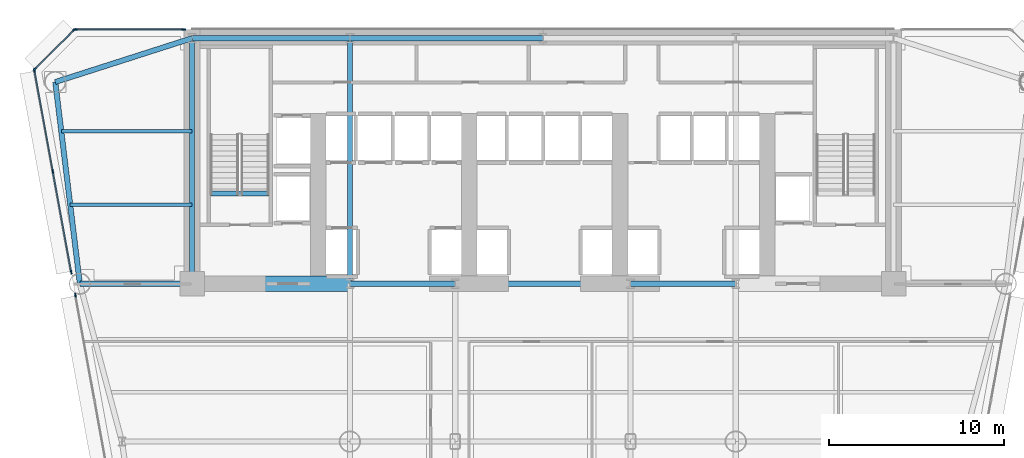
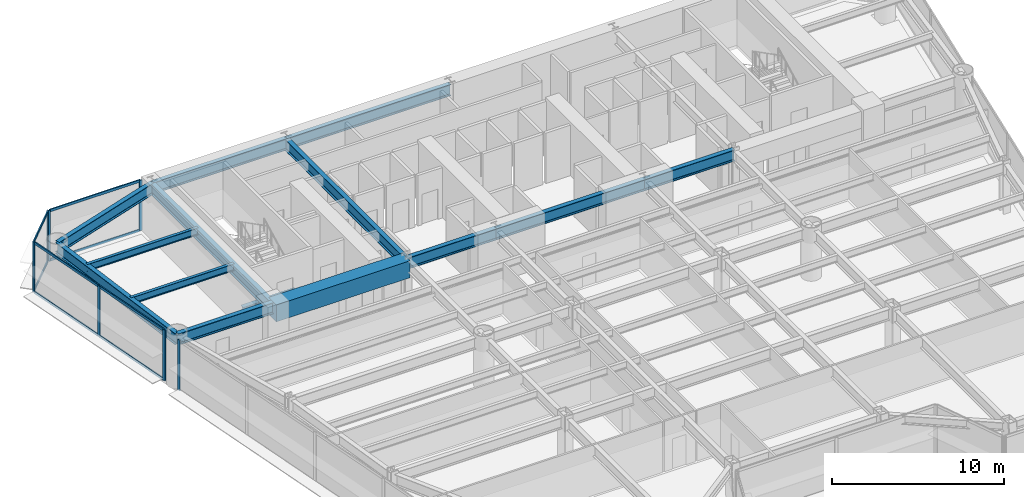
# One storey, part 5 of 14: 16 members, 14 beams, 4 elements without a shape of their own.
"""IFC4 building model written with IfcOpenShell, lengths in metres."""

import ifcopenshell
import ifcopenshell.guid

model = None  # the IFC model being written
_history = None  # IfcOwnerHistory: only IFC2X3 demands one
_inside = {}  # id of a spatial element -> (the spatial element, [elements in it])
_under = {}  # id of a project, library or spatial element -> (it, [spatial elements below it])
_declared = {}  # id of a project -> (the project, [libraries it declares])
_typed = {}  # id of a type object -> (the type object, [elements of that type])
_made_of = {}  # id of a material, layer set ... -> (it, [elements and type objects made of it])


def new_model(schema):
    """Start an empty IFC model of exactly this schema.

    Asked for "IFC4X3", IfcOpenShell would pick the latest addendum, in which some entities
    have other attributes; the version numbers below select the first issue.
    IFC2X3 requires an IfcOwnerHistory on every rooted entity: one is made here for all.
    """
    global model, _history
    if schema == "IFC4X3":
        model = ifcopenshell.file(schema_version=(4, 3, 0, 0))
    else:
        model = ifcopenshell.file(schema=schema)
    _inside.clear()
    _under.clear()
    _declared.clear()
    _typed.clear()
    _made_of.clear()
    _history = None
    if model.schema == "IFC2X3":
        org = make("IfcOrganization", Name="unknown")
        user = make(
            "IfcPersonAndOrganization",
            ThePerson=make("IfcPerson", FamilyName="unknown"),
            TheOrganization=org,
        )
        app = make(
            "IfcApplication",
            ApplicationDeveloper=org,
            Version="unknown",
            ApplicationFullName="unknown",
            ApplicationIdentifier="unknown",
        )
        _history = make(
            "IfcOwnerHistory",
            OwningUser=user,
            OwningApplication=app,
            ChangeAction="ADDED",
            CreationDate=0,
        )
    return model


def make(cls, **values):
    """One entity of the class cls with the attributes given. An attribute that is None is left unset."""
    return model.create_entity(
        cls, **{name: value for name, value in values.items() if value is not None}
    )


def rooted(cls, **values):
    """An entity with a GlobalId (a new one), such as an element, a storey or a relation."""
    return make(cls, GlobalId=ifcopenshell.guid.new(), OwnerHistory=_history, **values)


def si_unit(unit_type, name, prefix=None):
    """IfcSIUnit, for example si_unit("LENGTHUNIT", "METRE", prefix="MILLI")."""
    return make("IfcSIUnit", UnitType=unit_type, Prefix=prefix, Name=name)


def assignment(units):
    """IfcUnitAssignment: the units of a project."""
    return None if units is None else make("IfcUnitAssignment", Units=units)


def point(xyz):
    """IfcCartesianPoint."""
    return None if xyz is None else make("IfcCartesianPoint", Coordinates=xyz)


def direction(xyz):
    """IfcDirection."""
    return None if xyz is None else make("IfcDirection", DirectionRatios=xyz)


def frame(location, z_axis=None, x_axis=None):
    """IfcAxis2Placement3D, a coordinate frame: its origin and axes. An axis left out is left unset."""
    return make(
        "IfcAxis2Placement3D",
        Location=point(location),
        Axis=direction(z_axis),
        RefDirection=direction(x_axis),
    )


def frame_2d(location, x_axis=None):
    """IfcAxis2Placement2D, a coordinate frame in the plane: its origin and x axis."""
    return make(
        "IfcAxis2Placement2D", Location=point(location), RefDirection=direction(x_axis)
    )


def origin():
    """The frame at (0, 0, 0) with its axes left unset."""
    return frame((0.0, 0.0, 0.0))


def origin_2d():
    """The frame at (0, 0) in the plane with its x axis left unset."""
    return frame_2d((0.0, 0.0))


def place(relative_to, where):
    """IfcLocalPlacement: puts the frame where relative to a parent placement (None: the world)."""
    return make(
        "IfcLocalPlacement", PlacementRelTo=relative_to, RelativePlacement=where
    )


def context(
    kind, dimensions, precision=None, world=None, true_north=None, identifier=None
):
    """IfcGeometricRepresentationContext, for example the 3D "Model" context."""
    return make(
        "IfcGeometricRepresentationContext",
        ContextIdentifier=identifier,
        ContextType=kind,
        CoordinateSpaceDimension=dimensions,
        Precision=precision,
        WorldCoordinateSystem=world,
        TrueNorth=true_north,
    )


def subcontext(parent, identifier, kind, view, scale=None):
    """IfcGeometricRepresentationSubContext, for example "Body" below "Model"."""
    return make(
        "IfcGeometricRepresentationSubContext",
        ContextIdentifier=identifier,
        ContextType=kind,
        ParentContext=parent,
        TargetScale=scale,
        TargetView=view,
    )


def project(units=None, contexts=None):
    """IfcProject with its units and contexts."""
    return rooted(
        "IfcProject",
        Name="project",
        RepresentationContexts=contexts,
        UnitsInContext=assignment(units),
    )


def spatial(cls, under=None, at=None, **own):
    """A site, building, storey or space (cls), placed at a placement, below another one or the project."""
    s = rooted(cls, ObjectPlacement=at, **own)
    if under is not None:
        _under.setdefault(under.id(), (under, []))[1].append(s)
    return s


def profile(cls, at=None, kind="AREA", **sizes):
    """A parametric profile (cls). Its sizes go by their IFC names, for example OverallWidth=200.0."""
    return make(cls, ProfileType=kind, Position=at, **sizes)


def rectangle(**sizes):
    """IfcRectangleProfileDef."""
    return profile("IfcRectangleProfileDef", **sizes)


def i_section(**sizes):
    """IfcIShapeProfileDef."""
    return profile("IfcIShapeProfileDef", **sizes)


def extrude(swept, where, along, depth):
    """IfcExtrudedAreaSolid: the profile swept, set in the frame where, extruded along a direction by depth."""
    return make(
        "IfcExtrudedAreaSolid",
        SweptArea=swept,
        Position=where,
        ExtrudedDirection=direction(along),
        Depth=depth,
    )


def shape(context_of_items, identifier, shape_type, items):
    """IfcShapeRepresentation: the items that make up one representation, for example the "Body"."""
    return make(
        "IfcShapeRepresentation",
        ContextOfItems=context_of_items,
        RepresentationIdentifier=identifier,
        RepresentationType=shape_type,
        Items=items,
    )


def source(mapping_origin, context_of_items, identifier, shape_type, items):
    """IfcRepresentationMap: a shape defined once, which mapped items show again and again."""
    return make(
        "IfcRepresentationMap",
        MappingOrigin=mapping_origin,
        MappedRepresentation=shape(context_of_items, identifier, shape_type, items),
    )


def transform(
    local_origin,
    x_axis=None,
    y_axis=None,
    z_axis=None,
    scale=None,
    scale2=None,
    scale3=None,
    uniform=True,
):
    """IfcCartesianTransformationOperator3D, or its non-uniform kind. x_axis, y_axis, z_axis: its Axis1, 2, 3."""
    if uniform:
        return make(
            "IfcCartesianTransformationOperator3D",
            Axis1=direction(x_axis),
            Axis2=direction(y_axis),
            LocalOrigin=point(local_origin),
            Scale=scale,
            Axis3=direction(z_axis),
        )
    return make(
        "IfcCartesianTransformationOperator3DnonUniform",
        Axis1=direction(x_axis),
        Axis2=direction(y_axis),
        LocalOrigin=point(local_origin),
        Scale=scale,
        Axis3=direction(z_axis),
        Scale2=scale2,
        Scale3=scale3,
    )


def mapped(mapping_source, mapping_target):
    """IfcMappedItem: shows the shape of a source again, moved by a transform."""
    return make(
        "IfcMappedItem", MappingSource=mapping_source, MappingTarget=mapping_target
    )


def material(Name=None, Category=None):
    """IfcMaterial."""
    return make("IfcMaterial", Name=Name, Category=Category)


def layer(
    of_material, thickness, ventilated=None, Name=None, Category=None, Priority=None
):
    """IfcMaterialLayer: one layer of a wall or slab, of a material (None: an air gap)."""
    return make(
        "IfcMaterialLayer",
        Material=of_material,
        LayerThickness=thickness,
        IsVentilated=ventilated,
        Name=Name,
        Category=Category,
        Priority=Priority,
    )


def layer_set(layers, Name=None):
    """IfcMaterialLayerSet."""
    return make("IfcMaterialLayerSet", MaterialLayers=layers, LayerSetName=Name)


def material_profile(
    of_material, cross_section, Name=None, Category=None, Priority=None
):
    """IfcMaterialProfile: a cross section and its material."""
    return make(
        "IfcMaterialProfile",
        Name=Name,
        Material=of_material,
        Profile=cross_section,
        Priority=Priority,
        Category=Category,
    )


def profile_set(profiles, Name=None, composite=None):
    """IfcMaterialProfileSet."""
    return make(
        "IfcMaterialProfileSet",
        Name=Name,
        MaterialProfiles=profiles,
        CompositeProfile=composite,
    )


def made_of(thing, what):
    """Note that an element or type object is made of a material, layer set ...; save() writes the relation."""
    if what is not None:
        _made_of.setdefault(what.id(), (what, []))[1].append(thing)
    return thing


def type_object(cls, material=None, **own):
    """A type object (cls), such as IfcWallType, which elements share."""
    return made_of(rooted(cls, **own), material)


def element(
    cls,
    number,
    at=None,
    inside=None,
    cuts=None,
    type_object=None,
    material=None,
    context=None,
    identifier="Body",
    shape_type=None,
    held_by="IfcProductDefinitionShape",
    body=None,
    shapes=None,
    **own,
):
    """One element of the class cls, such as IfcWall. Its Tag is "e" and its number.

    at: its placement. inside: the storey or other place that contains it. cuts: it is an
    opening in that element (IfcRelVoidsElement). A single representation is given by context,
    identifier, shape_type and body (its items); several are given by shapes. held_by: the class
    of the entity that holds the representations. save() writes the other relations.
    """
    e = rooted(cls, Tag="e%d" % number, ObjectPlacement=at, **own)
    if body is not None:
        shapes = [shape(context, identifier, shape_type, body)]
    if shapes is not None:
        e.Representation = make(held_by, Representations=shapes)
    if inside is not None:
        _inside.setdefault(inside.id(), (inside, []))[1].append(e)
    if cuts is not None:
        rooted(
            "IfcRelVoidsElement", RelatingBuildingElement=cuts, RelatedOpeningElement=e
        )
    if type_object is not None:
        _typed.setdefault(type_object.id(), (type_object, []))[1].append(e)
    return made_of(e, material)


def aggregate(whole, parts):
    """IfcRelAggregates: a whole, such as a stair, and the parts it consists of."""
    return rooted("IfcRelAggregates", RelatingObject=whole, RelatedObjects=parts)


def save(model, path):
    """Write the relations noted so far, then the file.

    IfcRelAggregates (storeys below a building ...), IfcRelContainedInSpatialStructure (elements
    in a storey), IfcRelDefinesByType, IfcRelAssociatesMaterial and IfcRelDeclares: one each for
    every whole, place, type object, material and project.
    """
    for whole, parts in _under.values():
        aggregate(whole, parts)
    for where, things in _inside.values():
        rooted(
            "IfcRelContainedInSpatialStructure",
            RelatedElements=things,
            RelatingStructure=where,
        )
    for kind, things in _typed.values():
        rooted("IfcRelDefinesByType", RelatedObjects=things, RelatingType=kind)
    for what, things in _made_of.values():
        rooted("IfcRelAssociatesMaterial", RelatedObjects=things, RelatingMaterial=what)
    for by, libraries in _declared.values():
        rooted("IfcRelDeclares", RelatingContext=by, RelatedDefinitions=libraries)
    model.write(path)


model = new_model("IFC4")

# Units and contexts
model_context = context("Model", 3, precision=1e-05, world=origin(), true_north=direction((0.0, 1.0)))
body_context = subcontext(model_context, "Body", "Model", "MODEL_VIEW")
ifc_project = project(units=[si_unit("LENGTHUNIT", "METRE"), si_unit("AREAUNIT", "SQUARE_METRE"), si_unit("VOLUMEUNIT", "CUBIC_METRE"), si_unit("PLANEANGLEUNIT", "RADIAN"), si_unit("MASSUNIT", "GRAM", prefix="KILO")], contexts=[model_context])

# Site, building, storey
site_placement = place(None, origin())
site = spatial("IfcSite", under=ifc_project, at=site_placement, CompositionType="ELEMENT")
building_placement = place(site_placement, origin())
building = spatial("IfcBuilding", under=site, at=building_placement, Name="Vaeldorn Concourse Tower", CompositionType="ELEMENT")
storey_placement = place(building_placement, frame((0.0, 0.0, 72.0)))
storey = spatial("IfcBuildingStorey", under=building, at=storey_placement, Name="L18", CompositionType="ELEMENT", Elevation=72.0)

# Beams
ifc_material_1 = material(Name="Concrete C60/75", Category="concrete")
ifc_material_profile_1 = material_profile(ifc_material_1, rectangle(XDim=0.89990234375, YDim=1.199951171875, at=origin_2d()), Name="RC 900x1200")
ifc_profile_set_1 = profile_set([ifc_material_profile_1], Name="Concrete C60/75")
beam_type_1 = type_object("IfcBeamType", Name="BM-CB-RC900", PredefinedType="BEAM", material=ifc_profile_set_1)
shared_shape_1 = source(origin(), body_context, "Body", "SweptSolid", [
    extrude(rectangle(XDim=0.89990234375, YDim=1.199951171875, at=origin_2d()), origin(), (0.0, 0.0, 1.0), 9.0),
])
beam_1_placement = place(storey_placement, frame((14.0, 36.5, 2.97998046875), z_axis=(1.0, 0.0, 0.0), x_axis=(0.0, 1.0, 0.0)))
element("IfcBeam", 1, at=beam_1_placement, inside=storey, type_object=beam_type_1, Name="Core Coupling Beam L18-1", PredefinedType="BEAM", context=body_context, shape_type="MappedRepresentation", body=[
    mapped(shared_shape_1, transform((0.0, 0.0, 0.0), scale=1.0)),
])
ifc_material_2 = material(Name="Steel S355", Category="steel")
ifc_material_profile_2 = material_profile(ifc_material_2, i_section(OverallWidth=0.300048828125, OverallDepth=0.340087890625, WebThickness=0.011962890625, FlangeThickness=0.021484375, FilletRadius=0.027099609375, at=origin_2d()), Name="HEB 340")
ifc_profile_set_2 = profile_set([ifc_material_profile_2], Name="Steel S355")
beam_type_2 = type_object("IfcBeamType", Name="BM-ST-TRIM", PredefinedType="BEAM", material=ifc_profile_set_2)
shared_shape_2 = source(origin(), body_context, "Body", "SweptSolid", [
    extrude(i_section(OverallWidth=0.300048828125, OverallDepth=0.340087890625, WebThickness=0.011962890625, FlangeThickness=0.021484375, FilletRadius=0.027099609375, at=origin_2d()), origin(), (0.0, 0.0, 1.0), 3.590087890625),
])
beam_2_placement = place(storey_placement, frame((14.929931640625, 41.639892578125, -0.389892578125), z_axis=(1.0, 0.0, 0.0), x_axis=(0.0, 1.0, 0.0)))
element("IfcBeam", 2, at=beam_2_placement, inside=storey, type_object=beam_type_2, Name="Stair Landing Trimmer Beam ST-1 L18", PredefinedType="BEAM", context=body_context, shape_type="MappedRepresentation", body=[
    mapped(shared_shape_2, transform((0.0, 0.0, 0.0), scale=1.0)),
])
ifc_material_profile_3 = material_profile(ifc_material_2, i_section(OverallWidth=0.300048828125, OverallDepth=0.800048828125, WebThickness=0.017578125, FlangeThickness=0.032958984375, FilletRadius=0.030029296875, at=origin_2d()), Name="HEB 800")
ifc_profile_set_3 = profile_set([ifc_material_profile_3], Name="Steel S355")
beam_type_3 = type_object("IfcBeamType", Name="BM-PG-HEB800", PredefinedType="BEAM", material=ifc_profile_set_3)
shared_shape_3 = source(origin(), body_context, "Body", "SweptSolid", [
    extrude(i_section(OverallWidth=0.300048828125, OverallDepth=0.800048828125, WebThickness=0.017578125, FlangeThickness=0.032958984375, FilletRadius=0.030029296875, at=origin_2d()), origin(), (0.0, 0.0, 1.0), 6.0),
])
for number, where, z_axis, x_axis, name in (
    (3, (23.0, 36.5, 3.179931640625), (1.0, 0.0, 0.0), (0.0, 1.0, 0.0), "Beam BM-L18-C-FC2-C-FC3"),
    (4, (39.0, 36.5, 3.179931640625), (1.0, 0.0, 0.0), (0.0, 1.0, 0.0), "Beam BM-L18-C-FC4-C-FC5"),
):
    element("IfcBeam", number, at=place(storey_placement, frame(where, z_axis=z_axis, x_axis=x_axis)), inside=storey, type_object=beam_type_3, Name=name, PredefinedType="BEAM", context=body_context, shape_type="MappedRepresentation", body=[
        mapped(shared_shape_3, transform((0.0, 0.0, 0.0), scale=1.0)),
    ])
shared_shape_4 = source(origin(), body_context, "Body", "SweptSolid", [
    extrude(i_section(OverallWidth=0.300048828125, OverallDepth=0.800048828125, WebThickness=0.017578125, FlangeThickness=0.032958984375, FilletRadius=0.030029296875, at=origin_2d()), origin(), (0.0, 0.0, 1.0), 10.0),
])
beam_3_placement = place(storey_placement, frame((29.0, 36.5, 3.179931640625), z_axis=(1.0, 0.0, 0.0), x_axis=(0.0, 1.0, 0.0)))
element("IfcBeam", 5, at=beam_3_placement, inside=storey, type_object=beam_type_3, Name="Beam BM-L18-C-FC3-C-FC4", PredefinedType="BEAM", context=body_context, shape_type="MappedRepresentation", body=[
    mapped(shared_shape_4, transform((0.0, 0.0, 0.0), scale=1.0)),
])
shared_shape_5 = source(origin(), body_context, "Body", "SweptSolid", [
    extrude(i_section(OverallWidth=0.300048828125, OverallDepth=0.800048828125, WebThickness=0.017578125, FlangeThickness=0.032958984375, FilletRadius=0.030029296875, at=origin_2d()), origin(), (0.0, 0.0, 1.0), 9.0),
])
beam_4_placement = place(storey_placement, frame((14.0, 50.5, 3.179931640625), z_axis=(1.0, 0.0, 0.0), x_axis=(0.0, 1.0, 0.0)))
element("IfcBeam", 6, at=beam_4_placement, inside=storey, type_object=beam_type_3, Name="Beam BM-L18-C-HC1-C-HC2", PredefinedType="BEAM", context=body_context, shape_type="MappedRepresentation", body=[
    mapped(shared_shape_5, transform((0.0, 0.0, 0.0), scale=1.0)),
])
shared_shape_6 = source(origin(), body_context, "Body", "SweptSolid", [
    extrude(i_section(OverallWidth=0.300048828125, OverallDepth=0.800048828125, WebThickness=0.017578125, FlangeThickness=0.032958984375, FilletRadius=0.030029296875, at=origin_2d()), origin(), (0.0, 0.0, 1.0), 11.0),
])
beam_5_placement = place(storey_placement, frame((23.0, 50.5, 3.179931640625), z_axis=(1.0, 0.0, 0.0), x_axis=(0.0, 1.0, 0.0)))
element("IfcBeam", 7, at=beam_5_placement, inside=storey, type_object=beam_type_3, Name="Beam BM-L18-C-HC2-C-HC3", PredefinedType="BEAM", context=body_context, shape_type="MappedRepresentation", body=[
    mapped(shared_shape_6, transform((0.0, 0.0, 0.0), scale=1.0)),
])
shared_shape_7 = source(origin(), body_context, "Body", "SweptSolid", [
    extrude(i_section(OverallWidth=0.300048828125, OverallDepth=0.800048828125, WebThickness=0.017578125, FlangeThickness=0.032958984375, FilletRadius=0.030029296875, at=origin_2d()), origin(), (0.0, 0.0, 1.0), 14.0),
])
for number, where, z_axis, x_axis, name in (
    (8, (14.0, 36.5, 3.179931640625), (0.0, 1.0, 0.0), (-1.0, 0.0, 0.0), "Beam BM-L18-C-FC1-C-HC1"),
    (9, (23.0, 36.5, 3.179931640625), (0.0, 1.0, 0.0), (-1.0, 0.0, 0.0), "Beam BM-L18-C-FC2-C-HC2"),
):
    element("IfcBeam", number, at=place(storey_placement, frame(where, z_axis=z_axis, x_axis=x_axis)), inside=storey, type_object=beam_type_3, Name=name, PredefinedType="BEAM", context=body_context, shape_type="MappedRepresentation", body=[
        mapped(shared_shape_7, transform((0.0, 0.0, 0.0), scale=1.0)),
    ])
shared_shape_8 = source(origin(), body_context, "Body", "SweptSolid", [
    extrude(i_section(OverallWidth=0.300048828125, OverallDepth=0.800048828125, WebThickness=0.017578125, FlangeThickness=0.032958984375, FilletRadius=0.030029296875, at=origin_2d()), origin(), (0.0, 0.0, 1.0), 8.19091796875),
])
beam_6_placement = place(storey_placement, frame((6.199951171875, 48.0, 3.179931640625), z_axis=(0.952282843383, 0.305216949396, 0.0), x_axis=(-0.305216949396, 0.952282843383, 0.0)))
element("IfcBeam", 10, at=beam_6_placement, inside=storey, type_object=beam_type_3, Name="Beam BM-L18-C-NW1-C-HC1", PredefinedType="BEAM", context=body_context, shape_type="MappedRepresentation", body=[
    mapped(shared_shape_8, transform((0.0, 0.0, 0.0), scale=1.0)),
])
shared_shape_9 = source(origin(), body_context, "Body", "SweptSolid", [
    extrude(i_section(OverallWidth=0.300048828125, OverallDepth=0.800048828125, WebThickness=0.017578125, FlangeThickness=0.032958984375, FilletRadius=0.030029296875, at=origin_2d()), origin(), (0.0, 0.0, 1.0), 11.5849609375),
])
beam_7_placement = place(storey_placement, frame((6.199951171875, 48.0, 3.179931640625), z_axis=(0.120859382899, -0.992669637677, 0.0), x_axis=(0.992669637677, 0.120859382899, 0.0)))
element("IfcBeam", 11, at=beam_7_placement, inside=storey, type_object=beam_type_3, Name="Beam BM-L18-C-NW1-C-NW2", PredefinedType="BEAM", context=body_context, shape_type="MappedRepresentation", body=[
    mapped(shared_shape_9, transform((0.0, 0.0, 0.0), scale=1.0)),
])
shared_shape_10 = source(origin(), body_context, "Body", "SweptSolid", [
    extrude(i_section(OverallWidth=0.300048828125, OverallDepth=0.800048828125, WebThickness=0.017578125, FlangeThickness=0.032958984375, FilletRadius=0.030029296875, at=origin_2d()), origin(), (0.0, 0.0, 1.0), 6.39990234375),
])
beam_8_placement = place(storey_placement, frame((7.60009765625, 36.5, 3.179931640625), z_axis=(1.0, 0.0, 0.0), x_axis=(0.0, 1.0, 0.0)))
element("IfcBeam", 12, at=beam_8_placement, inside=storey, type_object=beam_type_3, Name="Beam BM-L18-C-NW2-C-FC1", PredefinedType="BEAM", context=body_context, shape_type="MappedRepresentation", body=[
    mapped(shared_shape_10, transform((0.0, 0.0, 0.0), scale=1.0)),
])
ifc_material_profile_4 = material_profile(ifc_material_2, i_section(OverallWidth=0.199951171875, OverallDepth=0.5, WebThickness=0.01025390625, FlangeThickness=0.01611328125, FilletRadius=0.02099609375, at=origin_2d()), Name="IPE 500")
ifc_profile_set_4 = profile_set([ifc_material_profile_4], Name="Steel S355")
beam_type_4 = type_object("IfcBeamType", Name="BM-JS-IPE500", PredefinedType="JOIST", material=ifc_profile_set_4)
shared_shape_11 = source(origin(), body_context, "Body", "SweptSolid", [
    extrude(i_section(OverallWidth=0.199951171875, OverallDepth=0.5, WebThickness=0.01025390625, FlangeThickness=0.01611328125, FilletRadius=0.02099609375, at=origin_2d()), origin(), (0.0, 0.0, 1.0), 6.94775390625),
])
beam_9_placement = place(storey_placement, frame((7.05224609375, 41.0, 3.330078125), z_axis=(1.0, 0.0, 0.0), x_axis=(0.0, 1.0, 0.0)))
element("IfcBeam", 13, at=beam_9_placement, inside=storey, type_object=beam_type_4, Name="Beam JS-L18-NW-410", PredefinedType="JOIST", context=body_context, shape_type="MappedRepresentation", body=[
    mapped(shared_shape_11, transform((0.0, 0.0, 0.0), scale=1.0)),
])
shared_shape_12 = source(origin(), body_context, "Body", "SweptSolid", [
    extrude(i_section(OverallWidth=0.199951171875, OverallDepth=0.5, WebThickness=0.01025390625, FlangeThickness=0.01611328125, FilletRadius=0.02099609375, at=origin_2d()), origin(), (0.0, 0.0, 1.0), 7.458984375),
])
beam_10_placement = place(storey_placement, frame((6.541015625, 45.199951171875, 3.330078125), z_axis=(1.0, 0.0, 0.0), x_axis=(0.0, 1.0, 0.0)))
element("IfcBeam", 14, at=beam_10_placement, inside=storey, type_object=beam_type_4, Name="Beam JS-L18-NW-452", PredefinedType="JOIST", context=body_context, shape_type="MappedRepresentation", body=[
    mapped(shared_shape_12, transform((0.0, 0.0, 0.0), scale=1.0)),
])

# Curtain wall, members
ifc_material_3 = material(Name="Anodised Bronze Aluminium", Category="aluminium")
ifc_layer = layer(ifc_material_3, 0.219970703125)
ifc_layer_set = layer_set([ifc_layer], Name="Anodised Bronze Aluminium")
curtain_wall_type = type_object("IfcCurtainWallType", Name="CW-SYS-01", PredefinedType="NOTDEFINED", material=ifc_layer_set)
curtain_wall_1_placement = place(storey_placement, origin())
curtain_wall_1 = element("IfcCurtainWall", 15, at=curtain_wall_1_placement, inside=storey, type_object=curtain_wall_type, Name="Unitised Curtain Wall CW-L18-E10-1", PredefinedType="NOTDEFINED")
ifc_material_profile_5 = material_profile(ifc_material_3, rectangle(XDim=0.074951171875, YDim=0.179931640625, at=origin_2d()), Name="CWT 75x180")
ifc_profile_set_5 = profile_set([ifc_material_profile_5], Name="Anodised Bronze Aluminium")
member_type_1 = type_object("IfcMemberType", Name="CWT-BRONZE-180", PredefinedType="USERDEFINED", material=ifc_profile_set_5)
shared_shape_13 = source(origin(), body_context, "Body", "SweptSolid", [
    extrude(rectangle(XDim=0.074951171875, YDim=0.179931640625, at=origin_2d()), origin(), (0.0, 0.0, 1.0), 3.10302734375),
])
member_1_placement = place(storey_placement, frame((7.2470703125, 50.947021484375, 0.03759765625), z_axis=(-0.707106781187, -0.707106781187, 0.0), x_axis=(0.707106781187, -0.707106781187, 0.0)))
member_1 = element("IfcMember", 16, at=member_1_placement, type_object=member_type_1, Name="CW-01 transom 1.1", ObjectType="TRANSOM", PredefinedType="USERDEFINED", context=body_context, shape_type="MappedRepresentation", body=[
    mapped(shared_shape_13, transform((0.0, 0.0, 0.0), scale=1.0)),
])
member_2_placement = place(storey_placement, frame((7.2470703125, 50.947021484375, 3.54248046875), z_axis=(-0.707106781187, -0.707106781187, 0.0), x_axis=(0.707106781187, -0.707106781187, 0.0)))
member_2 = element("IfcMember", 17, at=member_2_placement, type_object=member_type_1, Name="CW-01 transom 1.2", ObjectType="TRANSOM", PredefinedType="USERDEFINED", context=body_context, shape_type="MappedRepresentation", body=[
    mapped(shared_shape_13, transform((0.0, 0.0, 0.0), scale=1.0)),
])

curtain_wall_2_placement = place(storey_placement, origin())
curtain_wall_2 = element("IfcCurtainWall", 18, at=curtain_wall_2_placement, inside=storey, type_object=curtain_wall_type, Name="Unitised Curtain Wall CW-L18-E09-2", PredefinedType="NOTDEFINED")
shared_shape_14 = source(origin(), body_context, "Body", "SweptSolid", [
    extrude(rectangle(XDim=0.074951171875, YDim=0.179931640625, at=origin_2d()), origin(), (0.0, 0.0, 1.0), 6.10498046875),
])
member_3_placement = place(storey_placement, frame((13.47998046875, 51.0, 0.03759765625), z_axis=(-1.0, 0.0, 0.0), x_axis=(0.0, -1.0, 0.0)))
member_3 = element("IfcMember", 19, at=member_3_placement, type_object=member_type_1, Name="CW-01 transom 1.1", ObjectType="TRANSOM", PredefinedType="USERDEFINED", context=body_context, shape_type="MappedRepresentation", body=[
    mapped(shared_shape_14, transform((0.0, 0.0, 0.0), scale=1.0)),
])
member_4_placement = place(storey_placement, frame((13.47998046875, 51.0, 3.54248046875), z_axis=(-1.0, 0.0, 0.0), x_axis=(0.0, -1.0, 0.0)))
member_4 = element("IfcMember", 20, at=member_4_placement, type_object=member_type_1, Name="CW-01 transom 1.2", ObjectType="TRANSOM", PredefinedType="USERDEFINED", context=body_context, shape_type="MappedRepresentation", body=[
    mapped(shared_shape_14, transform((0.0, 0.0, 0.0), scale=1.0)),
])
ifc_material_profile_6 = material_profile(ifc_material_3, rectangle(XDim=0.074951171875, YDim=0.219970703125, at=origin_2d()), Name="CWM 75x220")
ifc_profile_set_6 = profile_set([ifc_material_profile_6], Name="Anodised Bronze Aluminium")
member_type_2 = type_object("IfcMemberType", Name="CWM-BRONZE-220", PredefinedType="MULLION", material=ifc_profile_set_6)
shared_shape_15 = source(origin(), body_context, "Body", "SweptSolid", [
    extrude(rectangle(XDim=0.074951171875, YDim=0.219970703125, at=origin_2d()), origin(), (0.0, 0.0, 1.0), 3.580078125),
])
member_5_placement = place(storey_placement, frame((13.517578125, 51.0, 0.0), z_axis=(0.0, 0.0, 1.0), x_axis=(0.0, -1.0, 0.0)))
member_5 = element("IfcMember", 21, at=member_5_placement, type_object=member_type_2, Name="CW-01 mullion 1", PredefinedType="MULLION", context=body_context, shape_type="MappedRepresentation", body=[
    mapped(shared_shape_15, transform((0.0, 0.0, 0.0), scale=1.0)),
])
member_6_placement = place(storey_placement, frame((7.33740234375, 51.0, 0.0), z_axis=(0.0, 0.0, 1.0), x_axis=(0.0, -1.0, 0.0)))
member_6 = element("IfcMember", 22, at=member_6_placement, type_object=member_type_2, Name="CW-01 mullion 2", PredefinedType="MULLION", context=body_context, shape_type="MappedRepresentation", body=[
    mapped(shared_shape_15, transform((0.0, 0.0, 0.0), scale=1.0)),
])
aggregate(curtain_wall_2, [member_5, member_6, member_3, member_4])

# Member
member_7_placement = place(storey_placement, frame((7.2734375, 50.973388671875, 0.0), z_axis=(0.0, 0.0, 1.0), x_axis=(0.707106781187, -0.707106781187, 0.0)))
member_7 = element("IfcMember", 23, at=member_7_placement, type_object=member_type_2, Name="CW-01 mullion 1", PredefinedType="MULLION", context=body_context, shape_type="MappedRepresentation", body=[
    mapped(shared_shape_15, transform((0.0, 0.0, 0.0), scale=1.0)),
])

member_8_placement = place(storey_placement, frame((5.026611328125, 48.7265625, 0.0), z_axis=(0.0, 0.0, 1.0), x_axis=(0.707106781187, -0.707106781187, 0.0)))
member_8 = element("IfcMember", 24, at=member_8_placement, type_object=member_type_2, Name="CW-01 mullion 2", PredefinedType="MULLION", context=body_context, shape_type="MappedRepresentation", body=[
    mapped(shared_shape_15, transform((0.0, 0.0, 0.0), scale=1.0)),
])

aggregate(curtain_wall_1, [member_7, member_8, member_1, member_2])

# Curtain wall, members
curtain_wall_3_placement = place(storey_placement, origin())
curtain_wall_3 = element("IfcCurtainWall", 25, at=curtain_wall_3_placement, inside=storey, type_object=curtain_wall_type, Name="Unitised Curtain Wall CW-L18-E11-1", PredefinedType="NOTDEFINED")
member_9_placement = place(storey_placement, frame((5.0068359375, 48.6630859375, 0.0), z_axis=(0.0, 0.0, 1.0), x_axis=(0.98372975252, 0.179654596399, 0.0)))
member_9 = element("IfcMember", 26, at=member_9_placement, type_object=member_type_2, Name="CW-01 mullion 1", PredefinedType="MULLION", context=body_context, shape_type="MappedRepresentation", body=[
    mapped(shared_shape_15, transform((0.0, 0.0, 0.0), scale=1.0)),
])
member_10_placement = place(storey_placement, frame((6.057373046875, 42.90966796875, 0.0), z_axis=(0.0, 0.0, 1.0), x_axis=(0.98372975252, 0.179654596399, 0.0)))
member_10 = element("IfcMember", 27, at=member_10_placement, type_object=member_type_2, Name="CW-01 mullion 2", PredefinedType="MULLION", context=body_context, shape_type="MappedRepresentation", body=[
    mapped(shared_shape_15, transform((0.0, 0.0, 0.0), scale=1.0)),
])
member_11_placement = place(storey_placement, frame((7.108154296875, 37.156494140625, 0.0), z_axis=(0.0, 0.0, 1.0), x_axis=(0.98372975252, 0.179654596399, 0.0)))
member_11 = element("IfcMember", 28, at=member_11_placement, type_object=member_type_2, Name="CW-01 mullion 3", PredefinedType="MULLION", context=body_context, shape_type="MappedRepresentation", body=[
    mapped(shared_shape_15, transform((0.0, 0.0, 0.0), scale=1.0)),
])

# Curtain wall, member
curtain_wall_4_placement = place(storey_placement, origin())
curtain_wall_4 = element("IfcCurtainWall", 29, at=curtain_wall_4_placement, inside=storey, type_object=curtain_wall_type, Name="Unitised Curtain Wall CW-L18-E11-2", PredefinedType="NOTDEFINED")
member_12_placement = place(storey_placement, frame((7.347900390625, 35.843505859375, 0.0), z_axis=(0.0, 0.0, 1.0), x_axis=(0.983729199794, 0.179657622921, 0.0)))
member_12 = element("IfcMember", 30, at=member_12_placement, type_object=member_type_2, Name="CW-01 mullion 1", PredefinedType="MULLION", context=body_context, shape_type="MappedRepresentation", body=[
    mapped(shared_shape_15, transform((0.0, 0.0, 0.0), scale=1.0)),
])
aggregate(curtain_wall_4, [member_12])

# Member
shared_shape_16 = source(origin(), body_context, "Body", "SweptSolid", [
    extrude(rectangle(XDim=0.074951171875, YDim=0.179931640625, at=origin_2d()), origin(), (0.0, 0.0, 1.0), 5.7734375),
])
member_13_placement = place(storey_placement, frame((6.064208984375, 42.872802734375, 0.03759765625), z_axis=(0.179637087701, -0.983732949902, 0.0), x_axis=(0.983732949902, 0.179637087701, 0.0)))
member_13 = element("IfcMember", 31, at=member_13_placement, type_object=member_type_1, Name="CW-01 transom 2.1", ObjectType="TRANSOM", PredefinedType="USERDEFINED", context=body_context, shape_type="MappedRepresentation", body=[
    mapped(shared_shape_16, transform((0.0, 0.0, 0.0), scale=1.0)),
])

member_14_placement = place(storey_placement, frame((6.064208984375, 42.872802734375, 3.54248046875), z_axis=(0.179637087701, -0.983732949902, 0.0), x_axis=(0.983732949902, 0.179637087701, 0.0)))
member_14 = element("IfcMember", 32, at=member_14_placement, type_object=member_type_1, Name="CW-01 transom 2.2", ObjectType="TRANSOM", PredefinedType="USERDEFINED", context=body_context, shape_type="MappedRepresentation", body=[
    mapped(shared_shape_16, transform((0.0, 0.0, 0.0), scale=1.0)),
])

shared_shape_17 = source(origin(), body_context, "Body", "SweptSolid", [
    extrude(rectangle(XDim=0.074951171875, YDim=0.179931640625, at=origin_2d()), origin(), (0.0, 0.0, 1.0), 5.773681640625),
])
member_15_placement = place(storey_placement, frame((5.013427734375, 48.626220703125, 0.03759765625), z_axis=(0.179670535984, -0.983726841404, 0.0), x_axis=(0.983726841404, 0.179670535984, 0.0)))
member_15 = element("IfcMember", 33, at=member_15_placement, type_object=member_type_1, Name="CW-01 transom 1.1", ObjectType="TRANSOM", PredefinedType="USERDEFINED", context=body_context, shape_type="MappedRepresentation", body=[
    mapped(shared_shape_17, transform((0.0, 0.0, 0.0), scale=1.0)),
])

member_16_placement = place(storey_placement, frame((5.013427734375, 48.626220703125, 3.54248046875), z_axis=(0.179670535984, -0.983726841404, 0.0), x_axis=(0.983726841404, 0.179670535984, 0.0)))
member_16 = element("IfcMember", 34, at=member_16_placement, type_object=member_type_1, Name="CW-01 transom 1.2", ObjectType="TRANSOM", PredefinedType="USERDEFINED", context=body_context, shape_type="MappedRepresentation", body=[
    mapped(shared_shape_17, transform((0.0, 0.0, 0.0), scale=1.0)),
])

aggregate(curtain_wall_3, [member_9, member_10, member_11, member_15, member_16, member_13, member_14])

save(model, "model.ifc")
